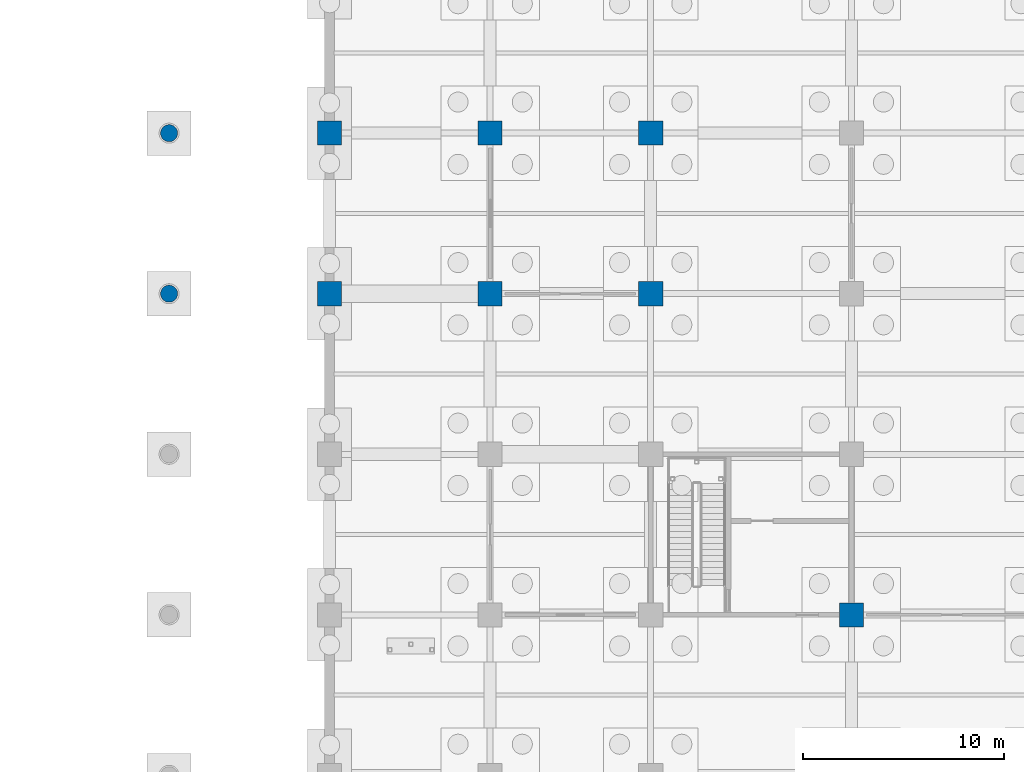
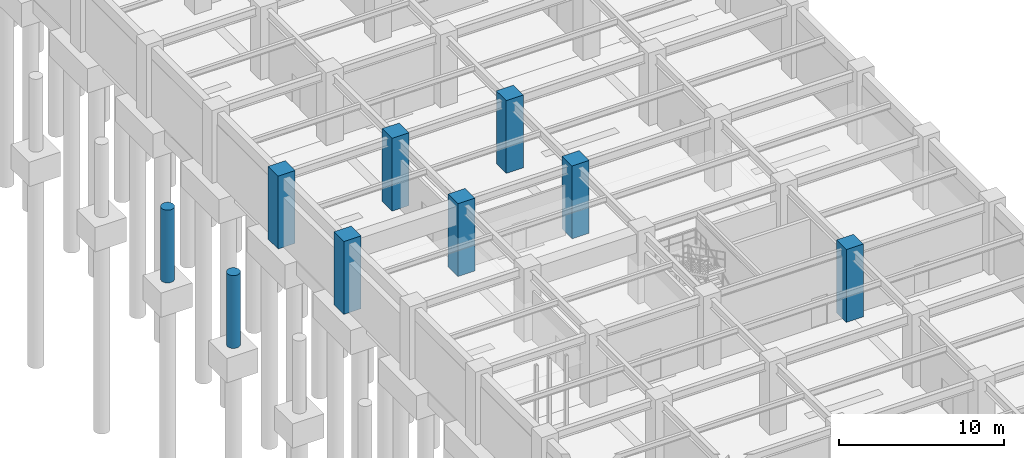
# One storey, part 44 of 97: 9 columns.
"""IFC4 building model written with IfcOpenShell, lengths in metres."""

from ifc_helpers import new_model, si_unit, direction, frame, origin, origin_2d, place, context, subcontext, project, spatial, rectangle, circle, extrude, material, material_profile, profile_set, type_object, element, save


model = new_model("IFC4")

# Units and contexts
model_context = context("Model", 3, precision=1e-05, world=origin(), true_north=direction((0.0, 1.0)))
body_context = subcontext(model_context, "Body", "Model", "MODEL_VIEW")
ifc_project = project(units=[si_unit("LENGTHUNIT", "METRE"), si_unit("AREAUNIT", "SQUARE_METRE"), si_unit("VOLUMEUNIT", "CUBIC_METRE"), si_unit("PLANEANGLEUNIT", "RADIAN"), si_unit("MASSUNIT", "GRAM", prefix="KILO")], contexts=[model_context])

# Site, building, storey
site_placement = place(None, origin())
site = spatial("IfcSite", under=ifc_project, at=site_placement, CompositionType="ELEMENT")
building_placement = place(site_placement, origin())
building = spatial("IfcBuilding", under=site, at=building_placement, Name="Haebicheon Civic Stadium", CompositionType="ELEMENT")
storey_placement = place(building_placement, frame((0.0, 0.0, -5.39990234375)))
storey = spatial("IfcBuildingStorey", under=building, at=storey_placement, Name="B1", CompositionType="ELEMENT", Elevation=-5.39990234375)

# Columns
ifc_material_1 = material(Name="Concrete C40/50", Category="concrete")
ifc_material_profile_1 = material_profile(ifc_material_1, rectangle(XDim=1.199951171875, YDim=1.199951171875, at=origin_2d()), Name="RC-COL-1200x1200")
ifc_profile_set_1 = profile_set([ifc_material_profile_1], Name="Concrete C40/50")
column_type_1 = type_object("IfcColumnType", Name="COL-RC-1200", PredefinedType="COLUMN", material=ifc_profile_set_1)
for number, where, z_axis, x_axis, name in (
    (1, (200.0, 80.0, 0.0), (0.0, 0.0, 1.0), (1.0, 0.0, 0.0), "B1 column 26/L"),
    (2, (200.0, 88.0, 0.0), (0.0, 0.0, 1.0), (1.0, 0.0, 0.0), "B1 column 26/M"),
    (3, (208.0, 80.0, 0.0), (0.0, 0.0, 1.0), (1.0, 0.0, 0.0), "B1 column 27/L"),
    (4, (208.0, 88.0, 0.0), (0.0, 0.0, 1.0), (1.0, 0.0, 0.0), "B1 column 27/M"),
    (5, (216.0, 80.0, 0.0), (0.0, 0.0, 1.0), (1.0, 0.0, 0.0), "B1 column 28/L"),
    (6, (216.0, 88.0, 0.0), (0.0, 0.0, 1.0), (1.0, 0.0, 0.0), "B1 column 28/M"),
    (7, (226.0, 64.0, 0.0), (0.0, 0.0, 1.0), (1.0, 0.0, 0.0), "B1 column 29/J"),
):
    element("IfcColumn", number, at=place(storey_placement, frame(where, z_axis=z_axis, x_axis=x_axis)), inside=storey, type_object=column_type_1, material=ifc_profile_set_1, Name=name, PredefinedType="COLUMN", context=body_context, shape_type="SweptSolid", body=[
        extrude(rectangle(XDim=1.199951171875, YDim=1.199951171875, at=origin_2d()), origin(), (0.0, 0.0, 1.0), 5.39990234375),
    ])
ifc_material_2 = material(Name="Concrete C40/50", Category="concrete")
ifc_material_profile_2 = material_profile(ifc_material_2, circle(Radius=0.425048828125, at=origin_2d()), Name="RC-COL-D850")
ifc_profile_set_2 = profile_set([ifc_material_profile_2], Name="Concrete C40/50")
column_type_2 = type_object("IfcColumnType", Name="COL-RC-D850", PredefinedType="COLUMN", material=ifc_profile_set_2)
for number, where, z_axis, x_axis, name in (
    (8, (192.0, 80.0, 0.0), (0.0, 0.0, 1.0), (1.0, 0.0, 0.0), "Bowl/canopy support column 192/80 (B1)"),
    (9, (192.0, 88.0, 0.0), (0.0, 0.0, 1.0), (1.0, 0.0, 0.0), "Bowl/canopy support column 192/88 (B1)"),
):
    element("IfcColumn", number, at=place(storey_placement, frame(where, z_axis=z_axis, x_axis=x_axis)), inside=storey, type_object=column_type_2, material=ifc_profile_set_2, Name=name, PredefinedType="COLUMN", context=body_context, shape_type="SweptSolid", body=[
        extrude(circle(Radius=0.425048828125, at=origin_2d()), origin(), (0.0, 0.0, 1.0), 5.39990234375),
    ])

save(model, "model.ifc")
